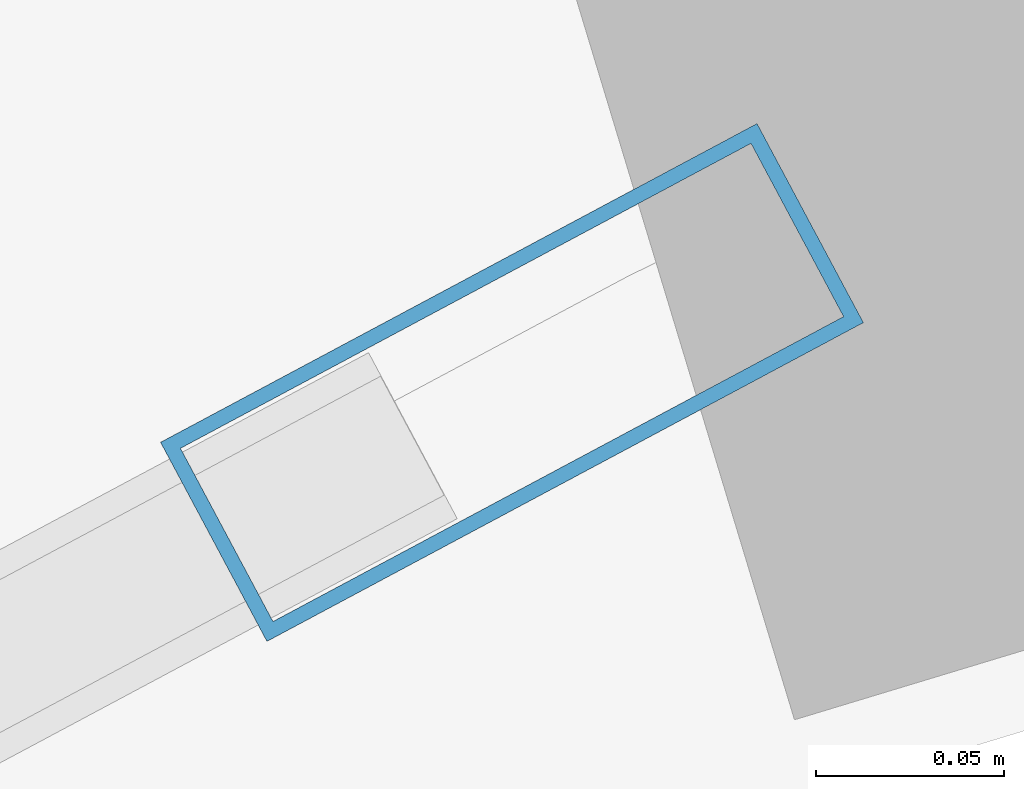
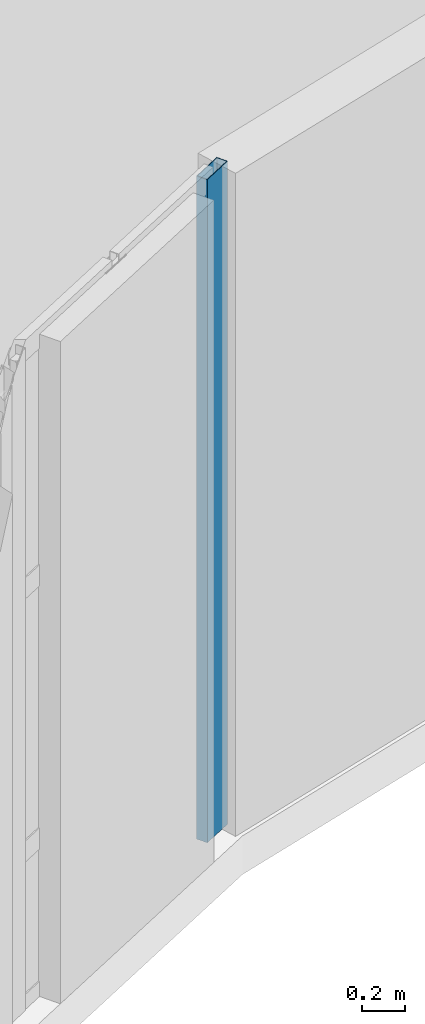
# One storey, part 35 of 92: 1 member, 1 element without a shape of its own.
"""IFC4 building model written with IfcOpenShell, lengths in metres."""

from ifc_helpers import new_model, si_unit, direction, frame, origin, origin_2d, place, context, subcontext, project, spatial, hollow_rectangle, extrude, material, layer, layer_set, material_profile, profile_set, type_object, element, aggregate, save


model = new_model("IFC4")

# Units and contexts
model_context = context("Model", 3, precision=1e-05, world=origin(), true_north=direction((0.0, 1.0)))
body_context = subcontext(model_context, "Body", "Model", "MODEL_VIEW")
ifc_project = project(units=[si_unit("LENGTHUNIT", "METRE"), si_unit("AREAUNIT", "SQUARE_METRE"), si_unit("VOLUMEUNIT", "CUBIC_METRE"), si_unit("PLANEANGLEUNIT", "RADIAN"), si_unit("MASSUNIT", "GRAM", prefix="KILO")], contexts=[model_context])

# Site, building, storey
site_placement = place(None, origin())
site = spatial("IfcSite", under=ifc_project, at=site_placement, CompositionType="ELEMENT")
building_placement = place(site_placement, origin())
building = spatial("IfcBuilding", under=site, at=building_placement, Name="Kelanivale Promenade Academy", CompositionType="ELEMENT")
storey_placement = place(building_placement, frame((0.0, 0.0, 8.199951171875)))
storey = spatial("IfcBuildingStorey", under=building, at=storey_placement, Name="L02", CompositionType="ELEMENT", Elevation=8.199951171875)

# Curtain wall, member
ifc_material_1 = material(Name="Bronze anodised aluminium and solar-control low-E glass", Category="aluminium")
ifc_layer = layer(ifc_material_1, 0.179931640625)
ifc_layer_set = layer_set([ifc_layer], Name="Bronze anodised aluminium and solar-control low-E glass")
curtain_wall_type = type_object("IfcCurtainWallType", Name="CW-14 Curtain Wall 1500mm Module", PredefinedType="USERDEFINED", material=ifc_layer_set)
curtain_wall_placement = place(storey_placement, origin())
curtain_wall = element("IfcCurtainWall", 1, at=curtain_wall_placement, inside=storey, type_object=curtain_wall_type, Name="L02 courtyard curtain wall CW-14", ObjectType="COURTYARD SCREEN GLAZING", PredefinedType="USERDEFINED")
ifc_material_2 = material(Name="Bronze anodised aluminium EN AW-6063 T6", Category="aluminium")
ifc_material_profile = material_profile(ifc_material_2, hollow_rectangle(XDim=0.06005859375, YDim=0.179931640625, WallThickness=0.00390625, at=origin_2d()), Name="ALU 60x180x4.0")
ifc_profile_set = profile_set([ifc_material_profile], Name="Bronze anodised aluminium EN AW-6063 T6")
member_type = type_object("IfcMemberType", Name="CWM-02 ALU 60x180x4.0", PredefinedType="MULLION", material=ifc_profile_set)
member_placement = place(storey_placement, frame((95.0595703125, 65.678955078125, 0.0), z_axis=(0.0, 0.0, 1.0), x_axis=(0.471290193914, -0.881978204448, 0.0)))
member = element("IfcMember", 2, at=member_placement, type_object=member_type, Name="CW-14 mullion 1", PredefinedType="MULLION", context=body_context, shape_type="SweptSolid", body=[
    extrude(hollow_rectangle(XDim=0.06005859375, YDim=0.179931640625, WallThickness=0.00390625, at=origin_2d()), origin(), (0.0, 0.0, 1.0), 3.780029296875),
])
aggregate(curtain_wall, [member])

save(model, "model.ifc")
